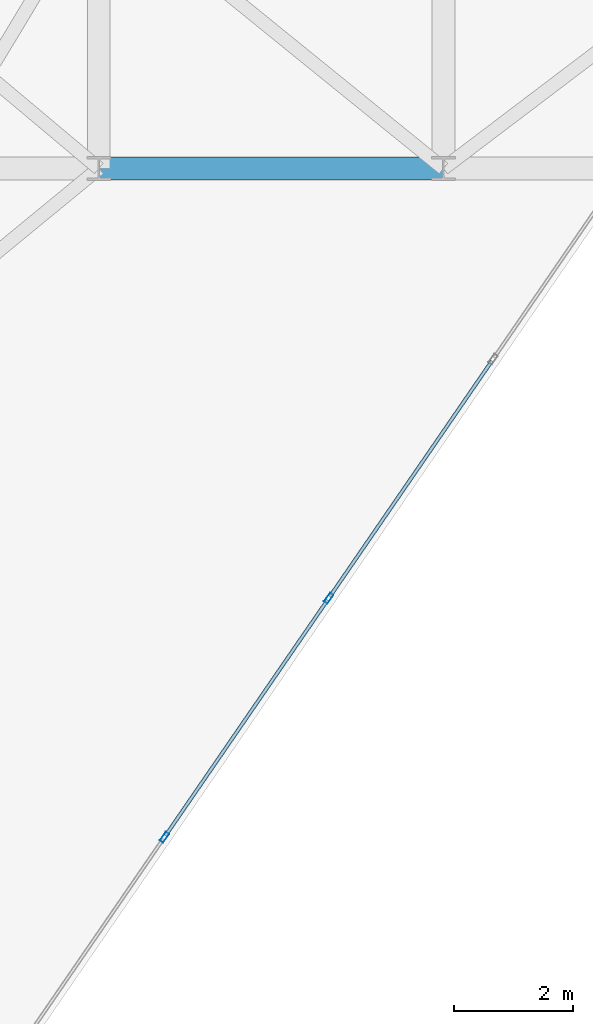
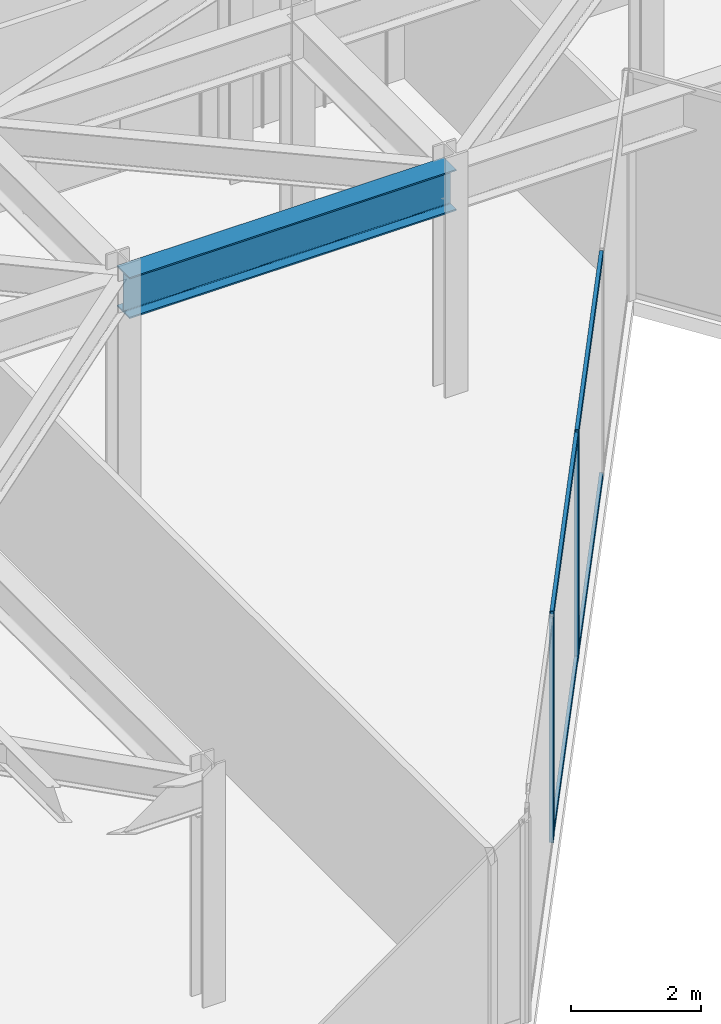
# One storey, part 6 of 25: 6 members, 1 beam, 1 element without a shape of its own.
"""IFC4 building model written with IfcOpenShell, lengths in metres."""

from ifc_helpers import new_model, si_unit, direction, frame, origin, origin_2d, place, context, subcontext, project, spatial, hollow_rectangle, i_section, extrude, material, layer, layer_set, material_profile, profile_set, type_object, element, aggregate, save


model = new_model("IFC4")

# Units and contexts
model_context = context("Model", 3, precision=1e-05, world=origin(), true_north=direction((0.0, 1.0)))
body_context = subcontext(model_context, "Body", "Model", "MODEL_VIEW")
ifc_project = project(units=[si_unit("LENGTHUNIT", "METRE"), si_unit("AREAUNIT", "SQUARE_METRE"), si_unit("VOLUMEUNIT", "CUBIC_METRE"), si_unit("PLANEANGLEUNIT", "RADIAN"), si_unit("MASSUNIT", "GRAM", prefix="KILO")], contexts=[model_context])

# Site, building, storey
site_placement = place(None, origin())
site = spatial("IfcSite", under=ifc_project, at=site_placement, CompositionType="ELEMENT")
building_placement = place(site_placement, origin())
building = spatial("IfcBuilding", under=site, at=building_placement, Name="Kravanh Interchange Tower", CompositionType="ELEMENT")
storey_placement = place(building_placement, frame((0.0, 0.0, 220.5)))
storey = spatial("IfcBuildingStorey", under=building, at=storey_placement, Name="L53", CompositionType="ELEMENT", Elevation=220.5)

# Curtain wall, members
ifc_material_1 = material(Name="Anodised Bronze Aluminium", Category="aluminium")
ifc_layer = layer(ifc_material_1, 0.179931640625)
ifc_layer_set = layer_set([ifc_layer], Name="Unitised Curtain Wall System CW-SKY Sky Observatory")
curtain_wall_type = type_object("IfcCurtainWallType", Name="Unitised Curtain Wall System CW-SKY Sky Observatory", PredefinedType="NOTDEFINED", material=ifc_layer_set)
curtain_wall_placement = place(storey_placement, origin())
curtain_wall = element("IfcCurtainWall", 1, at=curtain_wall_placement, inside=storey, type_object=curtain_wall_type, Name="L53 Unitised Curtain Wall CW-L53-06", PredefinedType="NOTDEFINED")
ifc_material_2 = material(Name="Anodised Bronze Aluminium", Category="aluminium")
ifc_material_profile_1 = material_profile(ifc_material_2, hollow_rectangle(XDim=0.070068359375, YDim=0.179931640625, WallThickness=0.00390625, at=origin_2d()), Name="ALU70X180X4")
ifc_profile_set_1 = profile_set([ifc_material_profile_1], Name="Anodised Bronze Aluminium")
member_type_1 = type_object("IfcMemberType", Name="Curtain Wall Mullion ALU70X180X4 Bronze", PredefinedType="MULLION", material=ifc_profile_set_1)
member_1_placement = place(storey_placement, frame((36.66845703125, 19.56591796875, 0.0), z_axis=(0.0, 0.0, 1.0), x_axis=(0.824042223035, -0.566528388217, 0.0)))
member_1 = element("IfcMember", 2, at=member_1_placement, type_object=member_type_1, Name="CW-SKY mullion 3", PredefinedType="MULLION", context=body_context, shape_type="SweptSolid", body=[
    extrude(hollow_rectangle(XDim=0.070068359375, YDim=0.179931640625, WallThickness=0.00390625, at=origin_2d()), origin(), (0.0, 0.0, 1.0), 4.219970703125),
])
member_2_placement = place(storey_placement, frame((33.902587890625, 15.54296875, 0.0), z_axis=(0.0, 0.0, 1.0), x_axis=(0.824042223035, -0.566528388217, 0.0)))
member_2 = element("IfcMember", 3, at=member_2_placement, type_object=member_type_1, Name="CW-SKY mullion 4", PredefinedType="MULLION", context=body_context, shape_type="SweptSolid", body=[
    extrude(hollow_rectangle(XDim=0.070068359375, YDim=0.179931640625, WallThickness=0.00390625, at=origin_2d()), origin(), (0.0, 0.0, 1.0), 4.219970703125),
])
ifc_material_3 = material(Name="Anodised Bronze Aluminium", Category="aluminium")
ifc_material_profile_2 = material_profile(ifc_material_3, hollow_rectangle(XDim=0.06005859375, YDim=0.139892578125, WallThickness=0.00390625, at=origin_2d()), Name="ALU60X140X4")
ifc_profile_set_2 = profile_set([ifc_material_profile_2], Name="Anodised Bronze Aluminium")
member_type_2 = type_object("IfcMemberType", Name="Curtain Wall Transom ALU60X140X4 Bronze", PredefinedType="USERDEFINED", material=ifc_profile_set_2)
member_3_placement = place(storey_placement, frame((39.414306640625, 23.56005859375, 0.030029296875), z_axis=(-0.566515903357, -0.824050806227, 0.0), x_axis=(0.824050806227, -0.566515903357, 0.0)))
member_3 = element("IfcMember", 4, at=member_3_placement, type_object=member_type_2, Name="CW-SKY transom 2.1", ObjectType="TRANSOM", PredefinedType="USERDEFINED", context=body_context, shape_type="SweptSolid", body=[
    extrude(hollow_rectangle(XDim=0.06005859375, YDim=0.139892578125, WallThickness=0.00390625, at=origin_2d()), origin(), (0.0, 0.0, 1.0), 4.81201171875),
])
member_4_placement = place(storey_placement, frame((39.414306640625, 23.56005859375, 4.18994140625), z_axis=(-0.566515903357, -0.824050806227, 0.0), x_axis=(0.824050806227, -0.566515903357, 0.0)))
member_4 = element("IfcMember", 5, at=member_4_placement, type_object=member_type_2, Name="CW-SKY transom 2.2", ObjectType="TRANSOM", PredefinedType="USERDEFINED", context=body_context, shape_type="SweptSolid", body=[
    extrude(hollow_rectangle(XDim=0.06005859375, YDim=0.139892578125, WallThickness=0.00390625, at=origin_2d()), origin(), (0.0, 0.0, 1.0), 4.81201171875),
])
member_5_placement = place(storey_placement, frame((36.648681640625, 19.537109375, 0.030029296875), z_axis=(-0.566515903357, -0.824050806227, 0.0), x_axis=(0.824050806227, -0.566515903357, 0.0)))
member_5 = element("IfcMember", 6, at=member_5_placement, type_object=member_type_2, Name="CW-SKY transom 3.1", ObjectType="TRANSOM", PredefinedType="USERDEFINED", context=body_context, shape_type="SweptSolid", body=[
    extrude(hollow_rectangle(XDim=0.06005859375, YDim=0.139892578125, WallThickness=0.00390625, at=origin_2d()), origin(), (0.0, 0.0, 1.0), 4.81201171875),
])
member_6_placement = place(storey_placement, frame((36.648681640625, 19.537109375, 4.18994140625), z_axis=(-0.566515903357, -0.824050806227, 0.0), x_axis=(0.824050806227, -0.566515903357, 0.0)))
member_6 = element("IfcMember", 7, at=member_6_placement, type_object=member_type_2, Name="CW-SKY transom 3.2", ObjectType="TRANSOM", PredefinedType="USERDEFINED", context=body_context, shape_type="SweptSolid", body=[
    extrude(hollow_rectangle(XDim=0.06005859375, YDim=0.139892578125, WallThickness=0.00390625, at=origin_2d()), origin(), (0.0, 0.0, 1.0), 4.81201171875),
])
aggregate(curtain_wall, [member_1, member_2, member_3, member_4, member_5, member_6])

# Beam
ifc_material_4 = material(Name="Structural Steel S355", Category="steel")
ifc_material_profile_3 = material_profile(ifc_material_4, i_section(OverallWidth=0.381103515625, OverallDepth=0.77294921875, WebThickness=0.0166015625, FlangeThickness=0.027099609375, FilletRadius=0.02490234375, at=origin_2d()), Name="W30X173")
ifc_profile_set_3 = profile_set([ifc_material_profile_3], Name="Structural Steel S355")
beam_type = type_object("IfcBeamType", Name="Floor Beam W30X173 Structural Steel S355", PredefinedType="BEAM", material=ifc_profile_set_3)
beam_placement = place(storey_placement, frame((32.800048828125, 26.800048828125, 3.83349609375), z_axis=(1.0, 0.0, 0.0), x_axis=(0.0, 1.0, 0.0)))
element("IfcBeam", 8, at=beam_placement, inside=storey, type_object=beam_type, Name="L53 Primary Floor Girder 42", PredefinedType="BEAM", context=body_context, shape_type="SweptSolid", body=[
    extrude(i_section(OverallWidth=0.381103515625, OverallDepth=0.77294921875, WebThickness=0.0166015625, FlangeThickness=0.027099609375, FilletRadius=0.02490234375, at=origin_2d()), origin(), (0.0, 0.0, 1.0), 5.800048828125),
])

save(model, "model.ifc")
